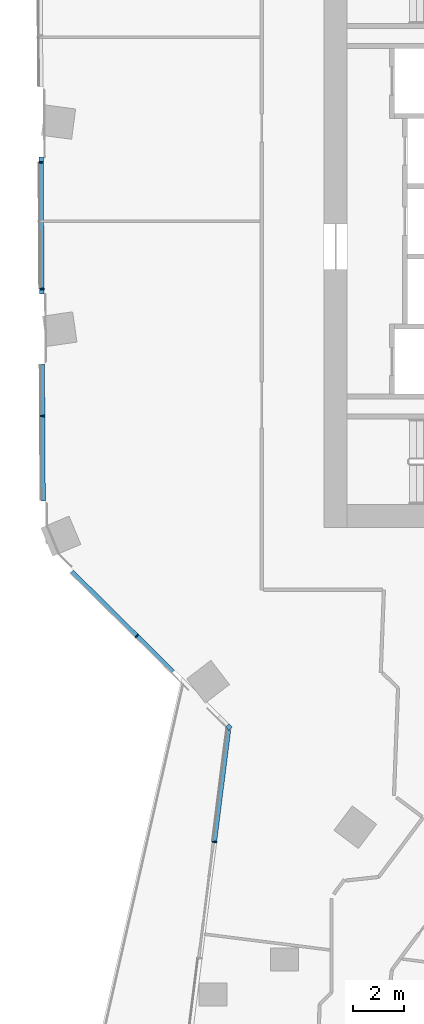
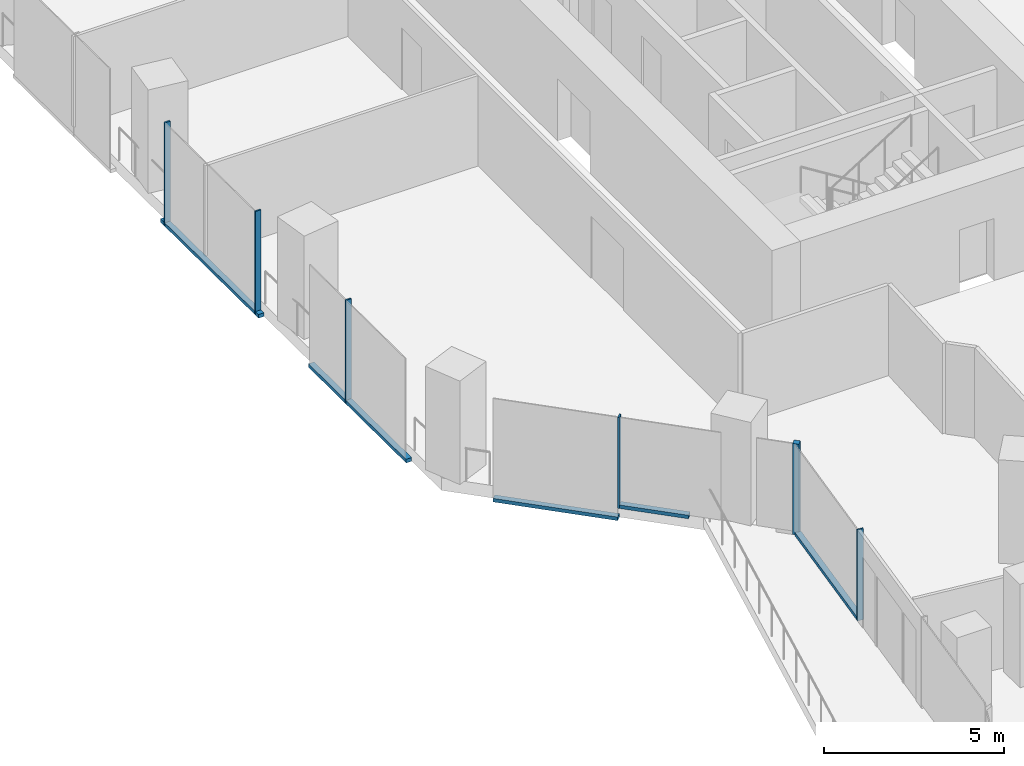
# One storey, part 6 of 29: 11 members, 3 elements without a shape of their own.
"""IFC4 building model written with IfcOpenShell, lengths in metres."""

from ifc_helpers import new_model, si_unit, direction, frame, origin, origin_2d, place, context, subcontext, project, spatial, rectangle, extrude, material, material_profile, profile_set, type_object, element, aggregate, save


model = new_model("IFC4")

# Units and contexts
model_context = context("Model", 3, precision=1e-05, world=origin(), true_north=direction((0.0, 1.0)))
body_context = subcontext(model_context, "Body", "Model", "MODEL_VIEW")
ifc_project = project(units=[si_unit("LENGTHUNIT", "METRE"), si_unit("AREAUNIT", "SQUARE_METRE"), si_unit("VOLUMEUNIT", "CUBIC_METRE"), si_unit("PLANEANGLEUNIT", "RADIAN"), si_unit("MASSUNIT", "GRAM", prefix="KILO")], contexts=[model_context])

# Site, building, storey
site_placement = place(None, origin())
site = spatial("IfcSite", under=ifc_project, at=site_placement, CompositionType="ELEMENT")
building_placement = place(site_placement, origin())
building = spatial("IfcBuilding", under=site, at=building_placement, Name="Orlundy Tower", CompositionType="ELEMENT")
storey_placement = place(building_placement, frame((0.0, 0.0, 188.60009765625)))
storey = spatial("IfcBuildingStorey", under=building, at=storey_placement, Name="L49", CompositionType="ELEMENT", Elevation=188.60009765625)

# Curtain wall, member
ifc_material_1 = material(Name="Aluminium bronze anodised", Category="aluminium")
curtain_wall_type = type_object("IfcCurtainWallType", Name="CW1 wall", PredefinedType="NOTDEFINED", material=ifc_material_1)
curtain_wall_1_placement = place(storey_placement, origin())
curtain_wall_1 = element("IfcCurtainWall", 1, at=curtain_wall_1_placement, inside=storey, type_object=curtain_wall_type, Name="CW1 run 01", PredefinedType="NOTDEFINED")
ifc_material_2 = material(Name="Aluminium bronze anodised", Category="aluminium")
ifc_material_profile_1 = material_profile(ifc_material_2, rectangle(XDim=0.179931640625, YDim=0.179931640625, at=origin_2d()), Name="CW1 corner post 180x180")
ifc_profile_set_1 = profile_set([ifc_material_profile_1], Name="Aluminium bronze anodised")
member_type_1 = type_object("IfcMemberType", Name="CW1 corner post 180x180", PredefinedType="MULLION", material=ifc_profile_set_1)
member_1_placement = place(storey_placement, frame((-22.741943359375, -19.829833984375, 0.0), z_axis=(0.0, 0.0, 1.0), x_axis=(-0.702991811789, -0.711197941896, 0.0)))
member_1 = element("IfcMember", 2, at=member_1_placement, type_object=member_type_1, Name="CW1 mullion 7", PredefinedType="MULLION", context=body_context, shape_type="SweptSolid", body=[
    extrude(rectangle(XDim=0.179931640625, YDim=0.179931640625, at=origin_2d()), origin(), (0.0, 0.0, 1.0), 3.079833984375),
])

curtain_wall_2_placement = place(storey_placement, origin())
curtain_wall_2 = element("IfcCurtainWall", 3, at=curtain_wall_2_placement, inside=storey, type_object=curtain_wall_type, Name="CW1 run 00", PredefinedType="NOTDEFINED")
ifc_material_3 = material(Name="Aluminium bronze anodised", Category="aluminium")
ifc_material_profile_2 = material_profile(ifc_material_3, rectangle(XDim=0.179931640625, YDim=0.050048828125, at=origin_2d()), Name="CW1 mullion 50x180")
ifc_profile_set_2 = profile_set([ifc_material_profile_2], Name="Aluminium bronze anodised")
member_type_2 = type_object("IfcMemberType", Name="CW1 mullion 50x180", PredefinedType="MULLION", material=ifc_profile_set_2)
member_2_placement = place(storey_placement, frame((-23.308837890625, -24.338623046875, 0.0), z_axis=(0.0, 0.0, 1.0), x_axis=(-0.992186526754, 0.124763360518, 0.0)))
member_2 = element("IfcMember", 4, at=member_2_placement, type_object=member_type_2, Name="CW1 mullion 6", PredefinedType="MULLION", context=body_context, shape_type="SweptSolid", body=[
    extrude(rectangle(XDim=0.179931640625, YDim=0.050048828125, at=origin_2d()), origin(), (0.0, 0.0, 1.0), 3.079833984375),
])

# Member
member_3_placement = place(storey_placement, frame((-26.350341796875, -16.262939453125, 0.0), z_axis=(0.0, 0.0, 1.0), x_axis=(-0.702991811789, -0.711197941896, 0.0)))
member_3 = element("IfcMember", 5, at=member_3_placement, type_object=member_type_2, Name="CW1 mullion 8", PredefinedType="MULLION", context=body_context, shape_type="SweptSolid", body=[
    extrude(rectangle(XDim=0.179931640625, YDim=0.050048828125, at=origin_2d()), origin(), (0.0, 0.0, 1.0), 3.079833984375),
])

# Curtain wall, members
curtain_wall_3_placement = place(storey_placement, origin())
curtain_wall_3 = element("IfcCurtainWall", 6, at=curtain_wall_3_placement, inside=storey, type_object=curtain_wall_type, Name="CW1 run 02", PredefinedType="NOTDEFINED")
member_4_placement = place(storey_placement, frame((-30.0458984375, -7.630859375, -0.420166015625), z_axis=(0.0, 0.0, 1.0), x_axis=(-0.999982980873, -0.005834206419, 0.0)))
member_4 = element("IfcMember", 7, at=member_4_placement, type_object=member_type_2, Name="CW1 mullion 10", PredefinedType="MULLION", context=body_context, shape_type="SweptSolid", body=[
    extrude(rectangle(XDim=0.179931640625, YDim=0.050048828125, at=origin_2d()), origin(), (0.0, 0.0, 1.0), 3.5),
])
member_5_placement = place(storey_placement, frame((-30.074951171875, -2.660400390625, -0.420166015625), z_axis=(0.0, 0.0, 1.0), x_axis=(-0.999982980873, -0.005834206419, 0.0)))
member_5 = element("IfcMember", 8, at=member_5_placement, type_object=member_type_2, Name="CW1 mullion 11", PredefinedType="MULLION", context=body_context, shape_type="SweptSolid", body=[
    extrude(rectangle(XDim=0.179931640625, YDim=0.050048828125, at=origin_2d()), origin(), (0.0, 0.0, 1.0), 3.5),
])
member_6_placement = place(storey_placement, frame((-30.10400390625, 2.310302734375, -0.420166015625), z_axis=(0.0, 0.0, 1.0), x_axis=(-0.999982980873, -0.005834206419, 0.0)))
member_6 = element("IfcMember", 9, at=member_6_placement, type_object=member_type_2, Name="CW1 mullion 12", PredefinedType="MULLION", context=body_context, shape_type="SweptSolid", body=[
    extrude(rectangle(XDim=0.179931640625, YDim=0.050048828125, at=origin_2d()), origin(), (0.0, 0.0, 1.0), 3.5),
])

# Member
ifc_material_4 = material(Name="Aluminium bronze anodised", Category="aluminium")
ifc_material_profile_3 = material_profile(ifc_material_4, rectangle(XDim=0.179931640625, YDim=0.1201171875, at=origin_2d()), Name="CW1 transom 180x120")
ifc_profile_set_3 = profile_set([ifc_material_profile_3], Name="Aluminium bronze anodised")
member_type_3 = type_object("IfcMemberType", Name="CW1 transom 180x120", PredefinedType="USERDEFINED", material=ifc_profile_set_3)
member_7_placement = place(storey_placement, frame((-23.3056640625, -24.313720703125, 0.059814453125), z_axis=(0.124737184043, 0.992189817987, 0.0), x_axis=(-0.992189817987, 0.124737184043, 0.0)))
member_7 = element("IfcMember", 10, at=member_7_placement, type_object=member_type_3, Name="CW1 transom", ObjectType="TRANSOM", PredefinedType="USERDEFINED", context=body_context, shape_type="SweptSolid", body=[
    extrude(rectangle(XDim=0.179931640625, YDim=0.1201171875, at=origin_2d()), origin(), (0.0, 0.0, 1.0), 4.40576171875),
])

aggregate(curtain_wall_2, [member_2, member_7])

member_8_placement = place(storey_placement, frame((-24.92822265625, -17.668701171875, 0.059814453125), z_axis=(-0.711175117278, 0.703014902093, 0.0), x_axis=(-0.703014902093, -0.711175117278, 0.0)))
member_8 = element("IfcMember", 11, at=member_8_placement, type_object=member_type_3, Name="CW1 transom", ObjectType="TRANSOM", PredefinedType="USERDEFINED", context=body_context, shape_type="SweptSolid", body=[
    extrude(rectangle(XDim=0.179931640625, YDim=0.1201171875, at=origin_2d()), origin(), (0.0, 0.0, 1.0), 1.974609375),
])

member_9_placement = place(storey_placement, frame((-26.3681640625, -16.245361328125, -0.360107421875), z_axis=(-0.711197153046, 0.702992609846, 0.0), x_axis=(-0.702992609846, -0.711197153046, 0.0)))
member_9 = element("IfcMember", 12, at=member_9_placement, type_object=member_type_3, Name="CW1 transom", ObjectType="TRANSOM", PredefinedType="USERDEFINED", context=body_context, shape_type="SweptSolid", body=[
    extrude(rectangle(XDim=0.179931640625, YDim=0.1201171875, at=origin_2d()), origin(), (0.0, 0.0, 1.0), 3.57080078125),
])

aggregate(curtain_wall_1, [member_1, member_3, member_8, member_9])

member_10_placement = place(storey_placement, frame((-30.026611328125, -10.962890625, -0.360107421875), z_axis=(-0.005830539074, 0.999983002263, 0.0), x_axis=(-0.999983002263, -0.005830539074, 0.0)))
member_10 = element("IfcMember", 13, at=member_10_placement, type_object=member_type_3, Name="CW1 transom", ObjectType="TRANSOM", PredefinedType="USERDEFINED", context=body_context, shape_type="SweptSolid", body=[
    extrude(rectangle(XDim=0.179931640625, YDim=0.1201171875, at=origin_2d()), origin(), (0.0, 0.0, 1.0), 5.359619140625),
])

member_11_placement = place(storey_placement, frame((-30.073974609375, -2.856689453125, -0.360107421875), z_axis=(-0.005817818907, 0.999983076348, 0.0), x_axis=(-0.999983076348, -0.005817818907, 0.0)))
member_11 = element("IfcMember", 14, at=member_11_placement, type_object=member_type_3, Name="CW1 transom", ObjectType="TRANSOM", PredefinedType="USERDEFINED", context=body_context, shape_type="SweptSolid", body=[
    extrude(rectangle(XDim=0.179931640625, YDim=0.1201171875, at=origin_2d()), origin(), (0.0, 0.0, 1.0), 5.371337890625),
])

aggregate(curtain_wall_3, [member_4, member_5, member_6, member_10, member_11])

save(model, "model.ifc")
